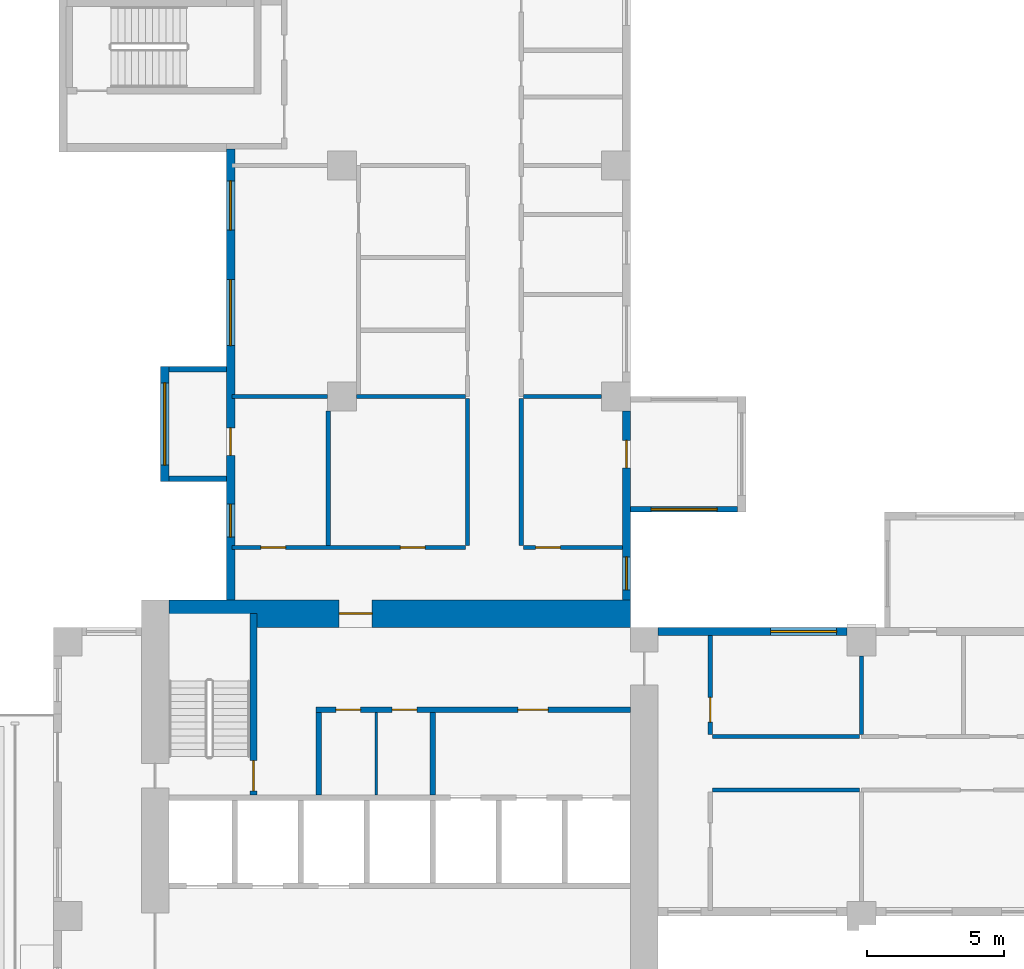
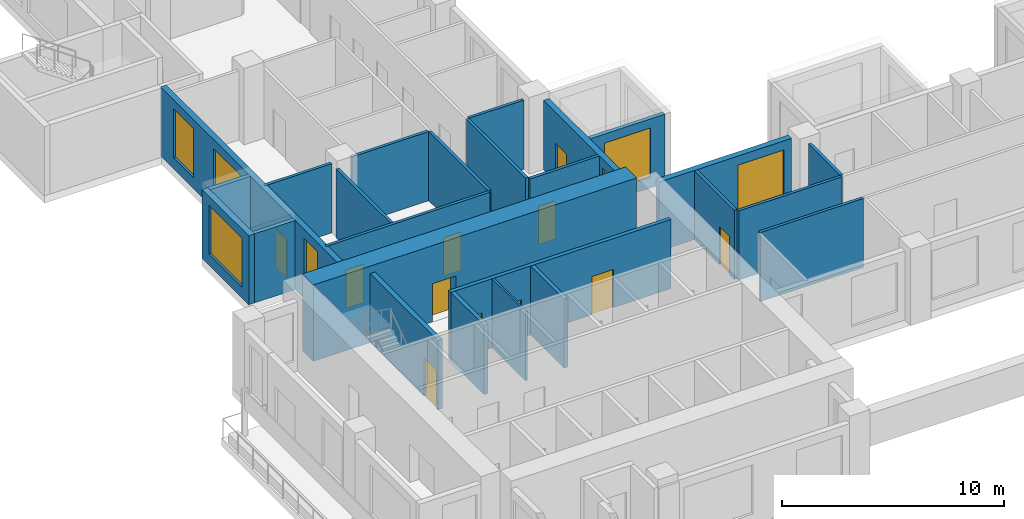
# One storey, part 3 of 14: 25 walls, 11 doors, 7 windows, 18 openings.
"""IFC4 building model written with IfcOpenShell, lengths in metres."""

from ifc_helpers import new_model, si_unit, direction, frame, frame_2d, origin, place, context, subcontext, project, spatial, rectangle, extrude, source, transform, mapped, material, layer, layer_set, type_object, element, fill, save


model = new_model("IFC4")

# Units and contexts
model_context = context("Model", 3, precision=1e-05, world=origin(), true_north=direction((0.0, 1.0)))
body_context = subcontext(model_context, "Body", "Model", "MODEL_VIEW")
ifc_project = project(units=[si_unit("LENGTHUNIT", "METRE"), si_unit("AREAUNIT", "SQUARE_METRE"), si_unit("VOLUMEUNIT", "CUBIC_METRE"), si_unit("PLANEANGLEUNIT", "RADIAN"), si_unit("MASSUNIT", "GRAM", prefix="KILO")], contexts=[model_context])

# Site, building, storey
site_placement = place(None, origin())
site = spatial("IfcSite", under=ifc_project, at=site_placement, CompositionType="ELEMENT")
building_placement = place(site_placement, origin())
building = spatial("IfcBuilding", under=site, at=building_placement, Name="Aurelian Terraces", CompositionType="ELEMENT")
storey_placement = place(building_placement, frame((0.0, 0.0, 153.9)))
storey = spatial("IfcBuildingStorey", under=building, at=storey_placement, Name="L34", CompositionType="ELEMENT", Elevation=153.9)

# Wall, opening, door
ifc_material_1 = material(Name="Concrete fc' 83 MPa", Category="concrete")
ifc_layer_1 = layer(ifc_material_1, 1.0)
ifc_layer_set_1 = layer_set([ifc_layer_1], Name="CORE WALL 1000 FC83")
wall_type_1 = type_object("IfcWallType", Name="CORE WALL 1000 FC83", PredefinedType="SHEAR", material=ifc_layer_set_1)
shared_shape_1 = source(origin(), body_context, "Body", "SweptSolid", [
    extrude(rectangle(XDim=16.8, YDim=1.0, at=frame_2d((8.4, 0.0))), origin(), (0.0, 0.0, 1.0), 4.2),
])
wall_1_placement = place(storey_placement, frame((4.2, 21.5, 0.0), z_axis=(0.0, 0.0, 1.0), x_axis=(1.0, 0.0, 0.0)))
wall_1 = element("IfcWall", 1, at=wall_1_placement, inside=storey, type_object=wall_type_1, Name="Core wall N L34", PredefinedType="SHEAR", context=body_context, shape_type="MappedRepresentation", body=[
    mapped(shared_shape_1, transform((0.0, 0.0, 0.0), scale=1.0)),
])
shared_shape_2 = source(origin(), body_context, "Body", "SweptSolid", [
    extrude(rectangle(XDim=1.2, YDim=2.1, at=frame_2d((0.6, 1.05))), frame((0.0, 0.51, 0.0), z_axis=(0.0, -1.0, 0.0), x_axis=(1.0, 0.0, 0.0)), (0.0, 0.0, 1.0), 1.02),
])
opening_1_placement = place(wall_1_placement, frame((6.2, 0.0, 0.0)))
opening_1 = element("IfcOpeningElement", 2, at=opening_1_placement, cuts=wall_1, Name="Opening 63721", PredefinedType="OPENING", context=body_context, shape_type="MappedRepresentation", body=[
    mapped(shared_shape_2, transform((0.0, 0.0, 0.0), scale=1.0)),
])
ifc_material_2 = material(Name="Steel door leaf", Category="steel")
door_type_1 = type_object("IfcDoorType", Name="Core fire door 1200x2100", OperationType="SINGLE_SWING_LEFT", PredefinedType="DOOR", material=ifc_material_2)
shared_shape_3 = source(origin(), body_context, "Body", "SweptSolid", [
    extrude(rectangle(XDim=1.2, YDim=2.1, at=frame_2d((0.6, 1.05))), frame((0.0, 0.025, 0.0), z_axis=(0.0, -1.0, 0.0), x_axis=(1.0, 0.0, 0.0)), (0.0, 0.0, 1.0), 0.05),
])
door_1_placement = place(opening_1_placement, origin())
door_1 = element("IfcDoor", 3, at=door_1_placement, inside=storey, type_object=door_type_1, Name="Core door 63721", OperationType="SINGLE_SWING_LEFT", OverallHeight=2.1, OverallWidth=1.2, PredefinedType="DOOR", context=body_context, shape_type="MappedRepresentation", body=[
    mapped(shared_shape_3, transform((0.0, 0.0, 0.0), scale=1.0)),
])
fill(opening_1, door_1)

# Wall, opening, window
ifc_material_3 = material(Name="Concrete fc' 40 MPa", Category="concrete")
ifc_layer_2 = layer(ifc_material_3, 0.2)
ifc_layer_set_2 = layer_set([ifc_layer_2], Name="BOX BEARING WALL 200")
wall_type_2 = type_object("IfcWallType", Name="BOX BEARING WALL 200", PredefinedType="SOLIDWALL", material=ifc_layer_set_2)
shared_shape_4 = source(origin(), body_context, "Body", "SweptSolid", [
    extrude(rectangle(XDim=3.9, YDim=0.2, at=frame_2d((1.95, 0.0))), origin(), (0.0, 0.0, 1.0), 3.8),
])
wall_2_placement = place(storey_placement, frame((21.0, 25.3, 0.0), z_axis=(0.0, 0.0, 1.0), x_axis=(1.0, 0.0, 0.0)))
wall_2 = element("IfcWall", 4, at=wall_2_placement, inside=storey, type_object=wall_type_2, Name="Box return L34 J49.1", PredefinedType="SOLIDWALL", context=body_context, shape_type="MappedRepresentation", body=[
    mapped(shared_shape_4, transform((0.0, 0.0, 0.0), scale=1.0)),
])
shared_shape_5 = source(origin(), body_context, "Body", "SweptSolid", [
    extrude(rectangle(XDim=2.4, YDim=2.7, at=frame_2d((1.2, 1.35))), frame((0.0, 0.11, 0.0), z_axis=(0.0, -1.0, 0.0), x_axis=(1.0, 0.0, 0.0)), (0.0, 0.0, 1.0), 0.22),
])
opening_2_placement = place(wall_2_placement, frame((0.75, 0.0, 0.6)))
opening_2 = element("IfcOpeningElement", 5, at=opening_2_placement, cuts=wall_2, Name="Opening W2427", PredefinedType="OPENING", context=body_context, shape_type="MappedRepresentation", body=[
    mapped(shared_shape_5, transform((0.0, 0.0, 0.0), scale=1.0)),
])
ifc_material_4 = material(Name="Clear glazing", Category="glass")
window_type_1 = type_object("IfcWindowType", Name="W-2400x2700", PartitioningType="SINGLE_PANEL", PredefinedType="WINDOW", material=ifc_material_4)
shared_shape_6 = source(origin(), body_context, "Body", "SweptSolid", [
    extrude(rectangle(XDim=2.4, YDim=2.7, at=frame_2d((1.2, 1.35))), frame((0.0, 0.03, 0.0), z_axis=(0.0, -1.0, 0.0), x_axis=(1.0, 0.0, 0.0)), (0.0, 0.0, 1.0), 0.06),
])
window_1_placement = place(opening_2_placement, origin())
window_1 = element("IfcWindow", 6, at=window_1_placement, inside=storey, type_object=window_type_1, Name="Window L34 J49-S1", OverallHeight=2.7, OverallWidth=2.4, PartitioningType="SINGLE_PANEL", PredefinedType="WINDOW", context=body_context, shape_type="MappedRepresentation", body=[
    mapped(shared_shape_6, transform((0.0, 0.0, 0.0), scale=1.0)),
])
fill(opening_2, window_1)

ifc_layer_3 = layer(ifc_material_3, 0.3)
ifc_layer_set_3 = layer_set([ifc_layer_3], Name="BOX BEARING WALL 300")
wall_type_3 = type_object("IfcWallType", Name="BOX BEARING WALL 300", PredefinedType="SOLIDWALL", material=ifc_layer_set_3)
shared_shape_7 = source(origin(), body_context, "Body", "SweptSolid", [
    extrude(rectangle(XDim=4.2, YDim=0.3, at=frame_2d((2.1, 0.0))), origin(), (0.0, 0.0, 1.0), 3.8),
])
wall_3_placement = place(storey_placement, frame((4.05, 30.5, 0.0), z_axis=(0.0, 0.0, 1.0), x_axis=(0.0, -1.0, 0.0)))
wall_3 = element("IfcWall", 7, at=wall_3_placement, inside=storey, type_object=wall_type_3, Name="Box wall L34 J50", PredefinedType="SOLIDWALL", context=body_context, shape_type="MappedRepresentation", body=[
    mapped(shared_shape_7, transform((0.0, 0.0, 0.0), scale=1.0)),
])
shared_shape_8 = source(origin(), body_context, "Body", "SweptSolid", [
    extrude(rectangle(XDim=3.0, YDim=2.7, at=frame_2d((1.5, 1.35))), frame((0.0, 0.16, 0.0), z_axis=(0.0, -1.0, 0.0), x_axis=(1.0, 0.0, 0.0)), (0.0, 0.0, 1.0), 0.32),
])
opening_3_placement = place(wall_3_placement, frame((0.6, 0.0, 0.6)))
opening_3 = element("IfcOpeningElement", 8, at=opening_3_placement, cuts=wall_3, Name="Opening W3027", PredefinedType="OPENING", context=body_context, shape_type="MappedRepresentation", body=[
    mapped(shared_shape_8, transform((0.0, 0.0, 0.0), scale=1.0)),
])
window_type_2 = type_object("IfcWindowType", Name="W-3000x2700", PartitioningType="SINGLE_PANEL", PredefinedType="WINDOW", material=ifc_material_4)
shared_shape_9 = source(origin(), body_context, "Body", "SweptSolid", [
    extrude(rectangle(XDim=3.0, YDim=2.7, at=frame_2d((1.5, 1.35))), frame((0.0, 0.03, 0.0), z_axis=(0.0, -1.0, 0.0), x_axis=(1.0, 0.0, 0.0)), (0.0, 0.0, 1.0), 0.06),
])
window_2_placement = place(opening_3_placement, origin())
window_2 = element("IfcWindow", 9, at=window_2_placement, inside=storey, type_object=window_type_2, Name="Window L34 J50-F1", OverallHeight=2.7, OverallWidth=3.0, PartitioningType="SINGLE_PANEL", PredefinedType="WINDOW", context=body_context, shape_type="MappedRepresentation", body=[
    mapped(shared_shape_9, transform((0.0, 0.0, 0.0), scale=1.0)),
])
fill(opening_3, window_2)

ifc_material_5 = material(Name="Terracotta rainscreen cladding", Category="masonry")
ifc_layer_4 = layer(ifc_material_5, 0.3)
ifc_layer_set_4 = layer_set([ifc_layer_4], Name="EW-300")
wall_type_4 = type_object("IfcWallType", Name="EW-300", PredefinedType="STANDARD", material=ifc_layer_set_4)
shared_shape_10 = source(origin(), body_context, "Body", "SweptSolid", [
    extrude(rectangle(XDim=6.875, YDim=0.3, at=frame_2d((3.4375, 0.0))), origin(), (0.0, 0.0, 1.0), 3.8),
])
wall_4_placement = place(storey_placement, frame((28.875, 20.85, 0.0), z_axis=(0.0, 0.0, 1.0), x_axis=(-1.0, 0.0, 0.0)))
wall_4 = element("IfcWall", 10, at=wall_4_placement, inside=storey, type_object=wall_type_4, Name="External wall L34 F11.25", PredefinedType="STANDARD", context=body_context, shape_type="MappedRepresentation", body=[
    mapped(shared_shape_10, transform((0.0, 0.0, 0.0), scale=1.0)),
])
shared_shape_11 = source(origin(), body_context, "Body", "SweptSolid", [
    extrude(rectangle(XDim=2.4, YDim=2.7, at=frame_2d((1.2, 1.35))), frame((0.0, 0.16, 0.0), z_axis=(0.0, -1.0, 0.0), x_axis=(1.0, 0.0, 0.0)), (0.0, 0.0, 1.0), 0.32),
])
opening_4_placement = place(wall_4_placement, frame((0.375, 0.0, 0.6)))
opening_4 = element("IfcOpeningElement", 11, at=opening_4_placement, cuts=wall_4, Name="Opening W2427", PredefinedType="OPENING", context=body_context, shape_type="MappedRepresentation", body=[
    mapped(shared_shape_11, transform((0.0, 0.0, 0.0), scale=1.0)),
])
window_3_placement = place(opening_4_placement, origin())
window_3 = element("IfcWindow", 12, at=window_3_placement, inside=storey, type_object=window_type_1, Name="Window L34 L34-F11-25-3", OverallHeight=2.7, OverallWidth=2.4, PartitioningType="SINGLE_PANEL", PredefinedType="WINDOW", context=body_context, shape_type="MappedRepresentation", body=[
    mapped(shared_shape_6, transform((0.0, 0.0, 0.0), scale=1.0)),
])
fill(opening_4, window_3)

# Wall, openings, window, door
wall_5_placement = place(storey_placement, frame((20.85, 22.0, 0.0), z_axis=(0.0, 0.0, 1.0), x_axis=(0.0, 1.0, 0.0)))
wall_5 = element("IfcWall", 13, at=wall_5_placement, inside=storey, type_object=wall_type_4, Name="External wall L34 F12.26", PredefinedType="STANDARD", context=body_context, shape_type="MappedRepresentation", body=[
    mapped(shared_shape_10, transform((0.0, 0.0, 0.0), scale=1.0)),
])
shared_shape_12 = source(origin(), body_context, "Body", "SweptSolid", [
    extrude(rectangle(XDim=1.2, YDim=2.7, at=frame_2d((0.6, 1.35))), frame((0.0, 0.16, 0.0), z_axis=(0.0, -1.0, 0.0), x_axis=(1.0, 0.0, 0.0)), (0.0, 0.0, 1.0), 0.32),
])
opening_5_placement = place(wall_5_placement, frame((0.3625, 0.0, 0.6)))
opening_5 = element("IfcOpeningElement", 14, at=opening_5_placement, cuts=wall_5, Name="Opening W1227", PredefinedType="OPENING", context=body_context, shape_type="MappedRepresentation", body=[
    mapped(shared_shape_12, transform((0.0, 0.0, 0.0), scale=1.0)),
])
shared_shape_13 = source(origin(), body_context, "Body", "SweptSolid", [
    extrude(rectangle(XDim=1.0, YDim=2.1, at=frame_2d((0.5, 1.05))), frame((0.0, 0.16, 0.0), z_axis=(0.0, -1.0, 0.0), x_axis=(1.0, 0.0, 0.0)), (0.0, 0.0, 1.0), 0.32),
])
opening_6_placement = place(wall_5_placement, frame((4.8, 0.0, 0.0)))
opening_6 = element("IfcOpeningElement", 15, at=opening_6_placement, cuts=wall_5, Name="Opening 834003", PredefinedType="OPENING", context=body_context, shape_type="MappedRepresentation", body=[
    mapped(shared_shape_13, transform((0.0, 0.0, 0.0), scale=1.0)),
])
window_type_3 = type_object("IfcWindowType", Name="W-1200x2700", PartitioningType="SINGLE_PANEL", PredefinedType="WINDOW", material=ifc_material_4)
shared_shape_14 = source(origin(), body_context, "Body", "SweptSolid", [
    extrude(rectangle(XDim=1.2, YDim=2.7, at=frame_2d((0.6, 1.35))), frame((0.0, 0.03, 0.0), z_axis=(0.0, -1.0, 0.0), x_axis=(1.0, 0.0, 0.0)), (0.0, 0.0, 1.0), 0.06),
])
window_4_placement = place(opening_5_placement, origin())
window_4 = element("IfcWindow", 16, at=window_4_placement, inside=storey, type_object=window_type_3, Name="Window L34 L34-F12-26-0", OverallHeight=2.7, OverallWidth=1.2, PartitioningType="SINGLE_PANEL", PredefinedType="WINDOW", context=body_context, shape_type="MappedRepresentation", body=[
    mapped(shared_shape_14, transform((0.0, 0.0, 0.0), scale=1.0)),
])
fill(opening_5, window_4)
ifc_material_6 = material(Name="Timber door leaf", Category="wood")
door_type_2 = type_object("IfcDoorType", Name="Room door 1000x2100 left", OperationType="SINGLE_SWING_LEFT", PredefinedType="DOOR", material=ifc_material_6)
shared_shape_15 = source(origin(), body_context, "Body", "SweptSolid", [
    extrude(rectangle(XDim=1.0, YDim=2.1, at=frame_2d((0.5, 1.05))), frame((0.0, 0.025, 0.0), z_axis=(0.0, -1.0, 0.0), x_axis=(1.0, 0.0, 0.0)), (0.0, 0.0, 1.0), 0.05),
])
door_2_placement = place(opening_6_placement, origin())
door_2 = element("IfcDoor", 17, at=door_2_placement, inside=storey, type_object=door_type_2, Name="Door 834003", OperationType="SINGLE_SWING_LEFT", OverallHeight=2.1, OverallWidth=1.0, PredefinedType="DOOR", context=body_context, shape_type="MappedRepresentation", body=[
    mapped(shared_shape_15, transform((0.0, 0.0, 0.0), scale=1.0)),
])
fill(opening_6, door_2)

# Walls
shared_shape_16 = source(origin(), body_context, "Body", "SweptSolid", [
    extrude(rectangle(XDim=2.1, YDim=0.2, at=frame_2d((1.05, 0.0))), origin(), (0.0, 0.0, 1.0), 3.8),
])
for number, where, z_axis, x_axis, name in (
    (18, (6.3, 30.4, 0.0), (0.0, 0.0, 1.0), (-1.0, 0.0, 0.0), "Box return L34 J50.1"),
    (19, (6.3, 26.4, 0.0), (0.0, 0.0, 1.0), (-1.0, 0.0, 0.0), "Box return L34 J50.2"),
):
    element("IfcWall", number, at=place(storey_placement, frame(where, z_axis=z_axis, x_axis=x_axis)), inside=storey, type_object=wall_type_2, Name=name, PredefinedType="SOLIDWALL", context=body_context, shape_type="MappedRepresentation", body=[
        mapped(shared_shape_16, transform((0.0, 0.0, 0.0), scale=1.0)),
    ])

# Wall, openings, windows, door
shared_shape_17 = source(origin(), body_context, "Body", "SweptSolid", [
    extrude(rectangle(XDim=16.4, YDim=0.3, at=frame_2d((8.2, 0.0))), origin(), (0.0, 0.0, 1.0), 3.8),
])
wall_6_placement = place(storey_placement, frame((6.45, 38.4, 0.0), z_axis=(0.0, 0.0, 1.0), x_axis=(0.0, -1.0, 0.0)))
wall_6 = element("IfcWall", 20, at=wall_6_placement, inside=storey, type_object=wall_type_4, Name="External wall L34 F20.38", PredefinedType="STANDARD", context=body_context, shape_type="MappedRepresentation", body=[
    mapped(shared_shape_17, transform((0.0, 0.0, 0.0), scale=1.0)),
])
shared_shape_18 = source(origin(), body_context, "Body", "SweptSolid", [
    extrude(rectangle(XDim=1.8, YDim=2.7, at=frame_2d((0.9, 1.35))), frame((0.0, 0.16, 0.0), z_axis=(0.0, -1.0, 0.0), x_axis=(1.0, 0.0, 0.0)), (0.0, 0.0, 1.0), 0.32),
])
opening_7_placement = place(wall_6_placement, frame((1.15, 0.0, 0.6)))
opening_7 = element("IfcOpeningElement", 21, at=opening_7_placement, cuts=wall_6, Name="Opening W1827", PredefinedType="OPENING", context=body_context, shape_type="MappedRepresentation", body=[
    mapped(shared_shape_18, transform((0.0, 0.0, 0.0), scale=1.0)),
])
opening_8_placement = place(wall_6_placement, frame((4.75, 0.0, 0.6)))
opening_8 = element("IfcOpeningElement", 22, at=opening_8_placement, cuts=wall_6, Name="Opening W2427", PredefinedType="OPENING", context=body_context, shape_type="MappedRepresentation", body=[
    mapped(shared_shape_11, transform((0.0, 0.0, 0.0), scale=1.0)),
])
opening_9_placement = place(wall_6_placement, frame((12.9125, 0.0, 0.6)))
opening_9 = element("IfcOpeningElement", 23, at=opening_9_placement, cuts=wall_6, Name="Opening W1227", PredefinedType="OPENING", context=body_context, shape_type="MappedRepresentation", body=[
    mapped(shared_shape_12, transform((0.0, 0.0, 0.0), scale=1.0)),
])
opening_10_placement = place(wall_6_placement, frame((10.1417, 0.0, 0.0)))
opening_10 = element("IfcOpeningElement", 24, at=opening_10_placement, cuts=wall_6, Name="Opening 834004", PredefinedType="OPENING", context=body_context, shape_type="MappedRepresentation", body=[
    mapped(shared_shape_13, transform((0.0, 0.0, 0.0), scale=1.0)),
])
window_5_placement = place(opening_8_placement, origin())
window_5 = element("IfcWindow", 25, at=window_5_placement, inside=storey, type_object=window_type_1, Name="Window L34 L34-F20-38-1", OverallHeight=2.7, OverallWidth=2.4, PartitioningType="SINGLE_PANEL", PredefinedType="WINDOW", context=body_context, shape_type="MappedRepresentation", body=[
    mapped(shared_shape_6, transform((0.0, 0.0, 0.0), scale=1.0)),
])
fill(opening_8, window_5)
window_type_4 = type_object("IfcWindowType", Name="W-1800x2700", PartitioningType="SINGLE_PANEL", PredefinedType="WINDOW", material=ifc_material_4)
shared_shape_19 = source(origin(), body_context, "Body", "SweptSolid", [
    extrude(rectangle(XDim=1.8, YDim=2.7, at=frame_2d((0.9, 1.35))), frame((0.0, 0.03, 0.0), z_axis=(0.0, -1.0, 0.0), x_axis=(1.0, 0.0, 0.0)), (0.0, 0.0, 1.0), 0.06),
])
window_6_placement = place(opening_7_placement, origin())
window_6 = element("IfcWindow", 26, at=window_6_placement, inside=storey, type_object=window_type_4, Name="Window L34 L34-F20-38-0", OverallHeight=2.7, OverallWidth=1.8, PartitioningType="SINGLE_PANEL", PredefinedType="WINDOW", context=body_context, shape_type="MappedRepresentation", body=[
    mapped(shared_shape_19, transform((0.0, 0.0, 0.0), scale=1.0)),
])
fill(opening_7, window_6)
window_7_placement = place(opening_9_placement, origin())
window_7 = element("IfcWindow", 27, at=window_7_placement, inside=storey, type_object=window_type_3, Name="Window L34 L34-F20-38-3", OverallHeight=2.7, OverallWidth=1.2, PartitioningType="SINGLE_PANEL", PredefinedType="WINDOW", context=body_context, shape_type="MappedRepresentation", body=[
    mapped(shared_shape_14, transform((0.0, 0.0, 0.0), scale=1.0)),
])
fill(opening_9, window_7)
door_3_placement = place(opening_10_placement, origin())
door_3 = element("IfcDoor", 28, at=door_3_placement, inside=storey, type_object=door_type_2, Name="Door 834004", OperationType="SINGLE_SWING_LEFT", OverallHeight=2.1, OverallWidth=1.0, PredefinedType="DOOR", context=body_context, shape_type="MappedRepresentation", body=[
    mapped(shared_shape_15, transform((0.0, 0.0, 0.0), scale=1.0)),
])
fill(opening_10, door_3)

# Walls
ifc_material_7 = material(Name="Gypsum board on steel studs", Category="steel")
ifc_layer_5 = layer(ifc_material_7, 0.2)
ifc_layer_set_5 = layer_set([ifc_layer_5], Name="Core partition 200")
wall_type_5 = type_object("IfcWallType", Name="Core partition 200", PredefinedType="PARTITIONING", material=ifc_layer_set_5)
shared_shape_20 = source(origin(), body_context, "Body", "SweptSolid", [
    extrude(rectangle(XDim=3.0, YDim=0.2, at=frame_2d((1.5, 0.0))), origin(), (0.0, 0.0, 1.0), 3.8),
])
for number, where, z_axis, x_axis, name in (
    (29, (9.65, 14.9, 0.0), (0.0, 0.0, 1.0), (0.0, 1.0, 0.0), "L34 core wall CP-VEST"),
    (30, (13.8, 14.9, 0.0), (0.0, 0.0, 1.0), (0.0, 1.0, 0.0), "L34 core wall CP-FFL"),
):
    element("IfcWall", number, at=place(storey_placement, frame(where, z_axis=z_axis, x_axis=x_axis)), inside=storey, type_object=wall_type_5, Name=name, PredefinedType="PARTITIONING", context=body_context, shape_type="MappedRepresentation", body=[
        mapped(shared_shape_20, transform((0.0, 0.0, 0.0), scale=1.0)),
    ])
ifc_layer_6 = layer(ifc_material_7, 0.1)
ifc_layer_set_6 = layer_set([ifc_layer_6], Name="Core partition 100")
wall_type_6 = type_object("IfcWallType", Name="Core partition 100", PredefinedType="PARTITIONING", material=ifc_layer_set_6)
shared_shape_21 = source(origin(), body_context, "Body", "SweptSolid", [
    extrude(rectangle(XDim=3.0, YDim=0.1, at=frame_2d((1.5, 0.0))), origin(), (0.0, 0.0, 1.0), 3.8),
])
wall_7_placement = place(storey_placement, frame((11.75, 14.9, 0.0), z_axis=(0.0, 0.0, 1.0), x_axis=(0.0, 1.0, 0.0)))
element("IfcWall", 31, at=wall_7_placement, inside=storey, type_object=wall_type_6, Name="L34 core wall CP-SV1", PredefinedType="PARTITIONING", context=body_context, shape_type="MappedRepresentation", body=[
    mapped(shared_shape_21, transform((0.0, 0.0, 0.0), scale=1.0)),
])

# Wall, opening, door
ifc_layer_7 = layer(ifc_material_3, 0.25)
ifc_layer_set_7 = layer_set([ifc_layer_7], Name="Stair enclosure wall 250")
wall_type_7 = type_object("IfcWallType", Name="Stair enclosure wall 250", PredefinedType="SOLIDWALL", material=ifc_layer_set_7)
shared_shape_22 = source(origin(), body_context, "Body", "SweptSolid", [
    extrude(rectangle(XDim=6.6, YDim=0.25, at=frame_2d((3.3, 0.0))), origin(), (0.0, 0.0, 1.0), 3.8),
])
wall_8_placement = place(storey_placement, frame((7.275, 14.9, 0.0), z_axis=(0.0, 0.0, 1.0), x_axis=(0.0, 1.0, 0.0)))
wall_8 = element("IfcWall", 32, at=wall_8_placement, inside=storey, type_object=wall_type_7, Name="L34 core wall ST-S1-E", PredefinedType="SOLIDWALL", context=body_context, shape_type="MappedRepresentation", body=[
    mapped(shared_shape_22, transform((0.0, 0.0, 0.0), scale=1.0)),
])
shared_shape_23 = source(origin(), body_context, "Body", "SweptSolid", [
    extrude(rectangle(XDim=1.1, YDim=2.1, at=frame_2d((0.55, 1.05))), frame((0.0, 0.135, 0.0), z_axis=(0.0, -1.0, 0.0), x_axis=(1.0, 0.0, 0.0)), (0.0, 0.0, 1.0), 0.27),
])
opening_11_placement = place(wall_8_placement, frame((0.15, 0.0, 0.0)))
opening_11 = element("IfcOpeningElement", 33, at=opening_11_placement, cuts=wall_8, Name="Opening 63710", PredefinedType="OPENING", context=body_context, shape_type="MappedRepresentation", body=[
    mapped(shared_shape_23, transform((0.0, 0.0, 0.0), scale=1.0)),
])
door_type_3 = type_object("IfcDoorType", Name="Core fire door 1100x2100 right", OperationType="SINGLE_SWING_RIGHT", PredefinedType="DOOR", material=ifc_material_2)
shared_shape_24 = source(origin(), body_context, "Body", "SweptSolid", [
    extrude(rectangle(XDim=1.1, YDim=2.1, at=frame_2d((0.55, 1.05))), frame((0.0, 0.025, 0.0), z_axis=(0.0, -1.0, 0.0), x_axis=(1.0, 0.0, 0.0)), (0.0, 0.0, 1.0), 0.05),
])
door_4_placement = place(opening_11_placement, origin())
door_4 = element("IfcDoor", 34, at=door_4_placement, inside=storey, type_object=door_type_3, Name="Stair door 63710", OperationType="SINGLE_SWING_RIGHT", OverallHeight=2.1, OverallWidth=1.1, PredefinedType="DOOR", context=body_context, shape_type="MappedRepresentation", body=[
    mapped(shared_shape_24, transform((0.0, 0.0, 0.0), scale=1.0)),
])
fill(opening_11, door_4)

# Wall, openings, doors
shared_shape_25 = source(origin(), body_context, "Body", "SweptSolid", [
    extrude(rectangle(XDim=11.45, YDim=0.2, at=frame_2d((5.725, 0.0))), origin(), (0.0, 0.0, 1.0), 3.8),
])
wall_9_placement = place(storey_placement, frame((9.55, 18.0, 0.0), z_axis=(0.0, 0.0, 1.0), x_axis=(1.0, 0.0, 0.0)))
wall_9 = element("IfcWall", 35, at=wall_9_placement, inside=storey, type_object=wall_type_5, Name="L34 core wall CP-NORTH", PredefinedType="PARTITIONING", context=body_context, shape_type="MappedRepresentation", body=[
    mapped(shared_shape_25, transform((0.0, 0.0, 0.0), scale=1.0)),
])
shared_shape_26 = source(origin(), body_context, "Body", "SweptSolid", [
    extrude(rectangle(XDim=0.9, YDim=2.1, at=frame_2d((0.45, 1.05))), frame((0.0, 0.11, 0.0), z_axis=(0.0, -1.0, 0.0), x_axis=(1.0, 0.0, 0.0)), (0.0, 0.0, 1.0), 0.22),
])
opening_12_placement = place(wall_9_placement, frame((0.725, 0.0, 0.0)))
opening_12 = element("IfcOpeningElement", 36, at=opening_12_placement, cuts=wall_9, Name="Opening 63711", PredefinedType="OPENING", context=body_context, shape_type="MappedRepresentation", body=[
    mapped(shared_shape_26, transform((0.0, 0.0, 0.0), scale=1.0)),
])
opening_13_placement = place(wall_9_placement, frame((2.775, 0.0, 0.0)))
opening_13 = element("IfcOpeningElement", 37, at=opening_13_placement, cuts=wall_9, Name="Opening 63712", PredefinedType="OPENING", context=body_context, shape_type="MappedRepresentation", body=[
    mapped(shared_shape_26, transform((0.0, 0.0, 0.0), scale=1.0)),
])
shared_shape_27 = source(origin(), body_context, "Body", "SweptSolid", [
    extrude(rectangle(XDim=1.1, YDim=2.1, at=frame_2d((0.55, 1.05))), frame((0.0, 0.11, 0.0), z_axis=(0.0, -1.0, 0.0), x_axis=(1.0, 0.0, 0.0)), (0.0, 0.0, 1.0), 0.22),
])
opening_14_placement = place(wall_9_placement, frame((7.35, 0.0, 0.0)))
opening_14 = element("IfcOpeningElement", 38, at=opening_14_placement, cuts=wall_9, Name="Opening 63713", PredefinedType="OPENING", context=body_context, shape_type="MappedRepresentation", body=[
    mapped(shared_shape_27, transform((0.0, 0.0, 0.0), scale=1.0)),
])
door_type_4 = type_object("IfcDoorType", Name="Core service door 900x2100", OperationType="SINGLE_SWING_LEFT", PredefinedType="DOOR", material=ifc_material_2)
shared_shape_28 = source(origin(), body_context, "Body", "SweptSolid", [
    extrude(rectangle(XDim=0.9, YDim=2.1, at=frame_2d((0.45, 1.05))), frame((0.0, 0.025, 0.0), z_axis=(0.0, -1.0, 0.0), x_axis=(1.0, 0.0, 0.0)), (0.0, 0.0, 1.0), 0.05),
])
door_5_placement = place(opening_12_placement, origin())
door_5 = element("IfcDoor", 39, at=door_5_placement, inside=storey, type_object=door_type_4, Name="Room door 63711", OperationType="SINGLE_SWING_LEFT", OverallHeight=2.1, OverallWidth=0.9, PredefinedType="DOOR", context=body_context, shape_type="MappedRepresentation", body=[
    mapped(shared_shape_28, transform((0.0, 0.0, 0.0), scale=1.0)),
])
fill(opening_12, door_5)
door_type_5 = type_object("IfcDoorType", Name="Core service door 900x2100 right", OperationType="SINGLE_SWING_RIGHT", PredefinedType="DOOR", material=ifc_material_2)
door_6_placement = place(opening_13_placement, origin())
door_6 = element("IfcDoor", 40, at=door_6_placement, inside=storey, type_object=door_type_5, Name="Room door 63712", OperationType="SINGLE_SWING_RIGHT", OverallHeight=2.1, OverallWidth=0.9, PredefinedType="DOOR", context=body_context, shape_type="MappedRepresentation", body=[
    mapped(shared_shape_28, transform((0.0, 0.0, 0.0), scale=1.0)),
])
fill(opening_13, door_6)
door_type_6 = type_object("IfcDoorType", Name="Core fire door 1100x2100", OperationType="SINGLE_SWING_LEFT", PredefinedType="DOOR", material=ifc_material_2)
door_7_placement = place(opening_14_placement, origin())
door_7 = element("IfcDoor", 41, at=door_7_placement, inside=storey, type_object=door_type_6, Name="Ff lobby door 63713", OperationType="SINGLE_SWING_LEFT", OverallHeight=2.1, OverallWidth=1.1, PredefinedType="DOOR", context=body_context, shape_type="MappedRepresentation", body=[
    mapped(shared_shape_24, transform((0.0, 0.0, 0.0), scale=1.0)),
])
fill(opening_14, door_7)

# Wall, opening, door
ifc_layer_8 = layer(ifc_material_7, 0.15)
ifc_layer_set_8 = layer_set([ifc_layer_8], Name="Partition 150")
wall_type_8 = type_object("IfcWallType", Name="Partition 150", PredefinedType="PARTITIONING", material=ifc_layer_set_8)
shared_shape_29 = source(origin(), body_context, "Body", "SweptSolid", [
    extrude(rectangle(XDim=3.6, YDim=0.15, at=frame_2d((1.8, 0.0))), origin(), (0.0, 0.0, 1.0), 3.8),
])
wall_10_placement = place(storey_placement, frame((23.9, 20.7, 0.0), z_axis=(0.0, 0.0, 1.0), x_axis=(0.0, -1.0, 0.0)))
wall_10 = element("IfcWall", 42, at=wall_10_placement, inside=storey, type_object=wall_type_8, Name="Partition", PredefinedType="PARTITIONING", context=body_context, shape_type="MappedRepresentation", body=[
    mapped(shared_shape_29, transform((0.0, 0.0, 0.0), scale=1.0)),
])
shared_shape_30 = source(origin(), body_context, "Body", "SweptSolid", [
    extrude(rectangle(XDim=0.9, YDim=2.1, at=frame_2d((0.45, 1.05))), frame((0.0, 0.085, 0.0), z_axis=(0.0, -1.0, 0.0), x_axis=(1.0, 0.0, 0.0)), (0.0, 0.0, 1.0), 0.17),
])
opening_15_placement = place(wall_10_placement, frame((2.25, 0.0, 0.0)))
opening_15 = element("IfcOpeningElement", 43, at=opening_15_placement, cuts=wall_10, Name="Opening 734002", PredefinedType="OPENING", context=body_context, shape_type="MappedRepresentation", body=[
    mapped(shared_shape_30, transform((0.0, 0.0, 0.0), scale=1.0)),
])
door_type_7 = type_object("IfcDoorType", Name="Room door 900x2100 left", OperationType="SINGLE_SWING_LEFT", PredefinedType="DOOR", material=ifc_material_6)
door_8_placement = place(opening_15_placement, origin())
door_8 = element("IfcDoor", 44, at=door_8_placement, inside=storey, type_object=door_type_7, Name="Door 734002", OperationType="SINGLE_SWING_LEFT", OverallHeight=2.1, OverallWidth=0.9, PredefinedType="DOOR", context=body_context, shape_type="MappedRepresentation", body=[
    mapped(shared_shape_28, transform((0.0, 0.0, 0.0), scale=1.0)),
])
fill(opening_15, door_8)

wall_11_placement = place(storey_placement, frame((17.1, 23.9, 0.0), z_axis=(0.0, 0.0, 1.0), x_axis=(1.0, 0.0, 0.0)))
wall_11 = element("IfcWall", 45, at=wall_11_placement, inside=storey, type_object=wall_type_8, Name="Partition", PredefinedType="PARTITIONING", context=body_context, shape_type="MappedRepresentation", body=[
    mapped(shared_shape_29, transform((0.0, 0.0, 0.0), scale=1.0)),
])
opening_16_placement = place(wall_11_placement, frame((0.45, 0.0, 0.0)))
opening_16 = element("IfcOpeningElement", 46, at=opening_16_placement, cuts=wall_11, Name="Opening 734023", PredefinedType="OPENING", context=body_context, shape_type="MappedRepresentation", body=[
    mapped(shared_shape_30, transform((0.0, 0.0, 0.0), scale=1.0)),
])
door_9_placement = place(opening_16_placement, origin())
door_9 = element("IfcDoor", 47, at=door_9_placement, inside=storey, type_object=door_type_7, Name="Door 734023", OperationType="SINGLE_SWING_LEFT", OverallHeight=2.1, OverallWidth=0.9, PredefinedType="DOOR", context=body_context, shape_type="MappedRepresentation", body=[
    mapped(shared_shape_28, transform((0.0, 0.0, 0.0), scale=1.0)),
])
fill(opening_16, door_9)

# Walls
shared_shape_31 = source(origin(), body_context, "Body", "SweptSolid", [
    extrude(rectangle(XDim=3.976, YDim=0.15, at=frame_2d((1.988, 0.0))), origin(), (0.0, 0.0, 1.0), 3.8),
])
wall_12_placement = place(storey_placement, frame((15.0, 29.4, 0.0), z_axis=(0.0, 0.0, 1.0), x_axis=(-1.0, 0.0, 0.0)))
element("IfcWall", 48, at=wall_12_placement, inside=storey, type_object=wall_type_8, Name="Partition", PredefinedType="PARTITIONING", context=body_context, shape_type="MappedRepresentation", body=[
    mapped(shared_shape_31, transform((0.0, 0.0, 0.0), scale=1.0)),
])
shared_shape_32 = source(origin(), body_context, "Body", "SweptSolid", [
    extrude(rectangle(XDim=2.851, YDim=0.15, at=frame_2d((1.4255, 0.0))), origin(), (0.0, 0.0, 1.0), 3.8),
])
for number, where, z_axis, x_axis, name in (
    (49, (29.4, 17.1, 0.0), (0.0, 0.0, 1.0), (0.0, 1.0, 0.0), "Partition"),
    (50, (19.951, 29.4, 0.0), (0.0, 0.0, 1.0), (-1.0, 0.0, 0.0), "Partition"),
):
    element("IfcWall", number, at=place(storey_placement, frame(where, z_axis=z_axis, x_axis=x_axis)), inside=storey, type_object=wall_type_8, Name=name, PredefinedType="PARTITIONING", context=body_context, shape_type="MappedRepresentation", body=[
        mapped(shared_shape_32, transform((0.0, 0.0, 0.0), scale=1.0)),
    ])
shared_shape_33 = source(origin(), body_context, "Body", "SweptSolid", [
    extrude(rectangle(XDim=3.471, YDim=0.15, at=frame_2d((1.7355, 0.0))), origin(), (0.0, 0.0, 1.0), 3.8),
])
wall_13_placement = place(storey_placement, frame((9.976, 29.4, 0.0), z_axis=(0.0, 0.0, 1.0), x_axis=(-1.0, 0.0, 0.0)))
element("IfcWall", 51, at=wall_13_placement, inside=storey, type_object=wall_type_8, Name="Partition", PredefinedType="PARTITIONING", context=body_context, shape_type="MappedRepresentation", body=[
    mapped(shared_shape_33, transform((0.0, 0.0, 0.0), scale=1.0)),
])

# Wall, openings, doors
shared_shape_34 = source(origin(), body_context, "Body", "SweptSolid", [
    extrude(rectangle(XDim=8.495, YDim=0.15, at=frame_2d((4.2475, 0.0))), origin(), (0.0, 0.0, 1.0), 3.8),
])
wall_14_placement = place(storey_placement, frame((6.505, 23.9, 0.0), z_axis=(0.0, 0.0, 1.0), x_axis=(1.0, 0.0, 0.0)))
wall_14 = element("IfcWall", 52, at=wall_14_placement, inside=storey, type_object=wall_type_8, Name="Partition", PredefinedType="PARTITIONING", context=body_context, shape_type="MappedRepresentation", body=[
    mapped(shared_shape_34, transform((0.0, 0.0, 0.0), scale=1.0)),
])
opening_17_placement = place(wall_14_placement, frame((1.045, 0.0, 0.0)))
opening_17 = element("IfcOpeningElement", 53, at=opening_17_placement, cuts=wall_14, Name="Opening 734021", PredefinedType="OPENING", context=body_context, shape_type="MappedRepresentation", body=[
    mapped(shared_shape_30, transform((0.0, 0.0, 0.0), scale=1.0)),
])
opening_18_placement = place(wall_14_placement, frame((6.12, 0.0, 0.0)))
opening_18 = element("IfcOpeningElement", 54, at=opening_18_placement, cuts=wall_14, Name="Opening 734022", PredefinedType="OPENING", context=body_context, shape_type="MappedRepresentation", body=[
    mapped(shared_shape_30, transform((0.0, 0.0, 0.0), scale=1.0)),
])
door_10_placement = place(opening_17_placement, origin())
door_10 = element("IfcDoor", 55, at=door_10_placement, inside=storey, type_object=door_type_7, Name="Door 734021", OperationType="SINGLE_SWING_LEFT", OverallHeight=2.1, OverallWidth=0.9, PredefinedType="DOOR", context=body_context, shape_type="MappedRepresentation", body=[
    mapped(shared_shape_28, transform((0.0, 0.0, 0.0), scale=1.0)),
])
fill(opening_17, door_10)
door_type_8 = type_object("IfcDoorType", Name="Room door 900x2100 right", OperationType="SINGLE_SWING_RIGHT", PredefinedType="DOOR", material=ifc_material_6)
door_11_placement = place(opening_18_placement, origin())
door_11 = element("IfcDoor", 56, at=door_11_placement, inside=storey, type_object=door_type_8, Name="Door 734022", OperationType="SINGLE_SWING_RIGHT", OverallHeight=2.1, OverallWidth=0.9, PredefinedType="DOOR", context=body_context, shape_type="MappedRepresentation", body=[
    mapped(shared_shape_28, transform((0.0, 0.0, 0.0), scale=1.0)),
])
fill(opening_18, door_11)

# Walls
ifc_layer_9 = layer(ifc_material_7, 0.15)
ifc_layer_set_9 = layer_set([ifc_layer_9], Name="Fire partition 150")
wall_type_9 = type_object("IfcWallType", Name="Fire partition 150", PredefinedType="PARTITIONING", material=ifc_layer_set_9)
shared_shape_35 = source(origin(), body_context, "Body", "SweptSolid", [
    extrude(rectangle(XDim=5.35, YDim=0.15, at=frame_2d((2.675, 0.0))), origin(), (0.0, 0.0, 1.0), 3.8),
])
for number, where, z_axis, x_axis, name in (
    (57, (29.325, 15.075, 0.0), (0.0, 0.0, 1.0), (-1.0, 0.0, 0.0), "Corridor wall"),
    (58, (23.975, 17.025, 0.0), (0.0, 0.0, 1.0), (1.0, 0.0, 0.0), "Corridor wall"),
    (59, (15.075, 23.975, 0.0), (0.0, 0.0, 1.0), (0.0, 1.0, 0.0), "Corridor wall"),
    (60, (17.025, 29.325, 0.0), (0.0, 0.0, 1.0), (0.0, -1.0, 0.0), "Corridor wall"),
):
    element("IfcWall", number, at=place(storey_placement, frame(where, z_axis=z_axis, x_axis=x_axis)), inside=storey, type_object=wall_type_9, Name=name, PredefinedType="PARTITIONING", context=body_context, shape_type="MappedRepresentation", body=[
        mapped(shared_shape_35, transform((0.0, 0.0, 0.0), scale=1.0)),
    ])
shared_shape_36 = source(origin(), body_context, "Body", "SweptSolid", [
    extrude(rectangle(XDim=4.901, YDim=0.15, at=frame_2d((2.4505, 0.0))), origin(), (0.0, 0.0, 1.0), 3.8),
])
wall_15_placement = place(storey_placement, frame((10.0, 23.975, 0.0), z_axis=(0.0, 0.0, 1.0), x_axis=(0.0, 1.0, 0.0)))
element("IfcWall", 61, at=wall_15_placement, inside=storey, type_object=wall_type_8, Name="Partition", PredefinedType="PARTITIONING", context=body_context, shape_type="MappedRepresentation", body=[
    mapped(shared_shape_36, transform((0.0, 0.0, 0.0), scale=1.0)),
])

save(model, "model.ifc")
